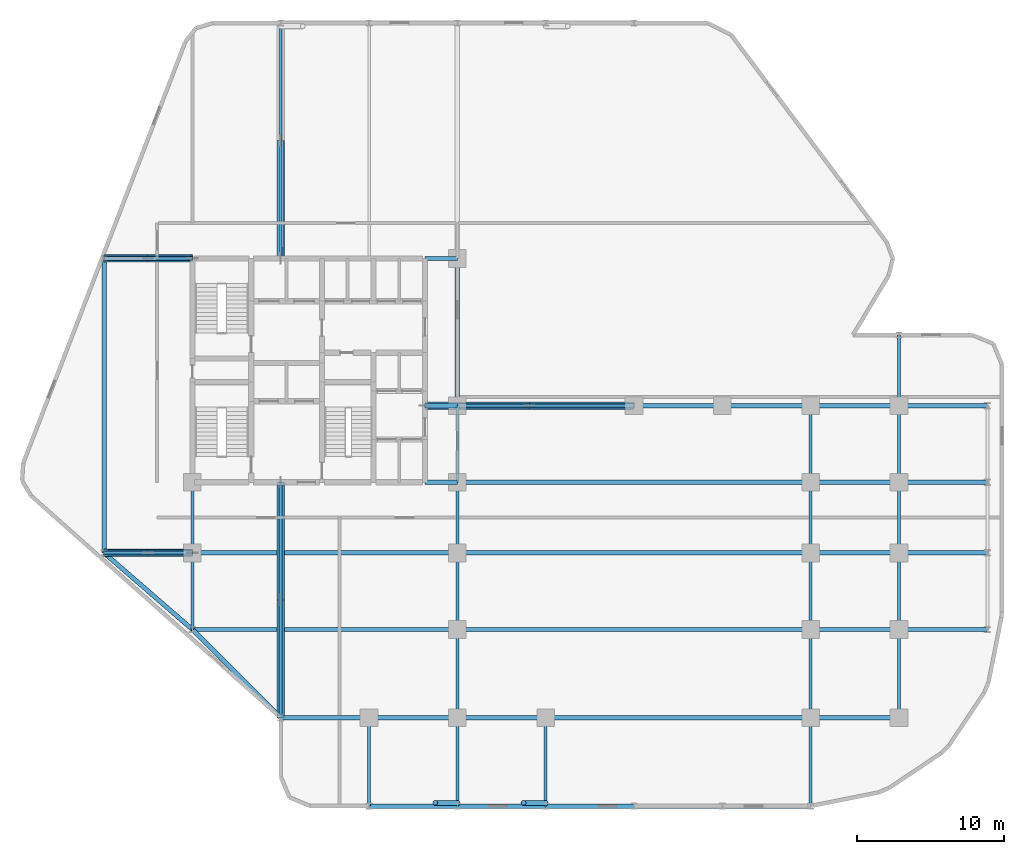
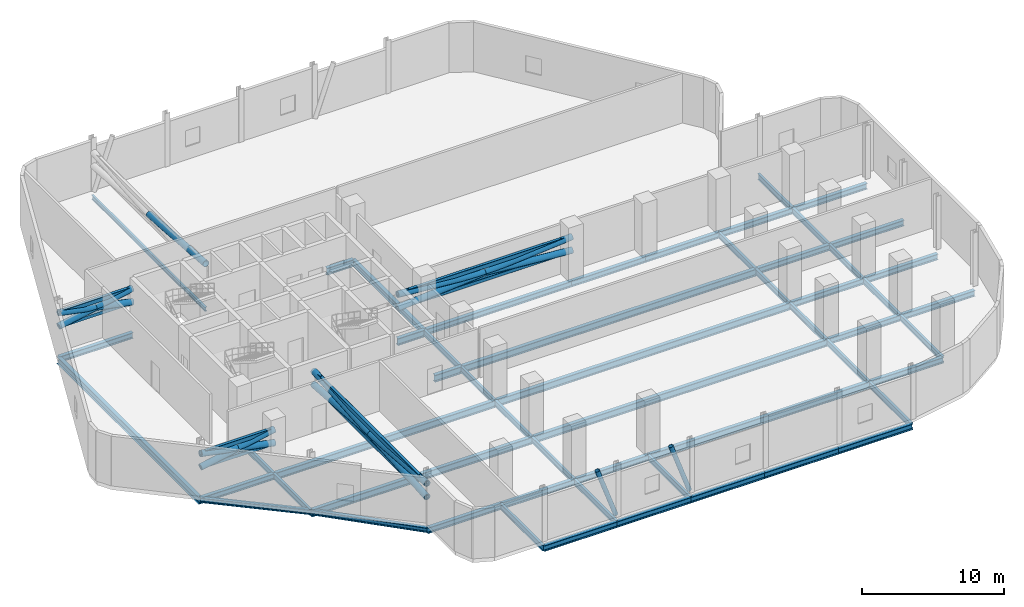
# One storey, part 3 of 9: 55 beams, 23 members.
"""IFC4 building model written with IfcOpenShell, lengths in metres."""

from ifc_helpers import new_model, si_unit, direction, frame, origin, origin_2d, place, context, subcontext, project, spatial, hollow_rectangle, hollow_circle, i_section, extrude, material, material_profile, profile_set, type_object, element, save


model = new_model("IFC4")

# Units and contexts
model_context = context("Model", 3, precision=1e-05, world=origin(), true_north=direction((0.0, 1.0)))
body_context = subcontext(model_context, "Body", "Model", "MODEL_VIEW")
ifc_project = project(units=[si_unit("LENGTHUNIT", "METRE"), si_unit("AREAUNIT", "SQUARE_METRE"), si_unit("VOLUMEUNIT", "CUBIC_METRE"), si_unit("PLANEANGLEUNIT", "RADIAN"), si_unit("MASSUNIT", "GRAM", prefix="KILO")], contexts=[model_context])

# Site, building, storey
site_placement = place(None, origin())
site = spatial("IfcSite", under=ifc_project, at=site_placement, CompositionType="ELEMENT")
building_placement = place(site_placement, origin())
building = spatial("IfcBuilding", under=site, at=building_placement, Name="Keshet Zoharim Tower", CompositionType="ELEMENT")
storey_placement = place(building_placement, frame((0.0, 0.0, 61.0)))
storey = spatial("IfcBuildingStorey", under=building, at=storey_placement, Name="L14", CompositionType="ELEMENT", Elevation=61.0)

# Beams
ifc_material = material(Name="Steel S355", Category="steel")
ifc_material_profile_1 = material_profile(ifc_material, i_section(OverallWidth=0.300048828125, OverallDepth=0.60009765625, WebThickness=0.015380859375, FlangeThickness=0.030029296875, FilletRadius=0.027099609375, at=origin_2d()), Name="HEB600")
ifc_profile_set_1 = profile_set([ifc_material_profile_1], Name="Steel S355")
beam_type_1 = type_object("IfcBeamType", Name="BM-CLK-HB600", PredefinedType="BEAM", material=ifc_profile_set_1)
for number, where, z_axis, x_axis, name in (
    (1, (30.800048828125, 22.699951171875, -0.719970703125), (1.0, 0.0, 0.0), (0.0, 1.0, 0.0), "L14 Core Wall Link Girder 01"),
    (2, (30.800048828125, 27.89990234375, -0.719970703125), (1.0, 0.0, 0.0), (0.0, 1.0, 0.0), "L14 Core Wall Link Girder 02"),
    (3, (30.800048828125, 37.89990234375, -0.719970703125), (1.0, 0.0, 0.0), (0.0, 1.0, 0.0), "L14 Core Wall Link Girder 03"),
):
    element("IfcBeam", number, at=place(storey_placement, frame(where, z_axis=z_axis, x_axis=x_axis)), inside=storey, type_object=beam_type_1, Name=name, PredefinedType="BEAM", context=body_context, shape_type="SweptSolid", body=[
        extrude(i_section(OverallWidth=0.300048828125, OverallDepth=0.60009765625, WebThickness=0.015380859375, FlangeThickness=0.030029296875, FilletRadius=0.027099609375, at=origin_2d()), origin(), (0.0, 0.0, 1.0), 2.199951171875),
    ])
ifc_material_profile_2 = material_profile(ifc_material, i_section(OverallWidth=0.169921875, OverallDepth=0.360107421875, WebThickness=0.008056640625, FlangeThickness=0.0126953125, FilletRadius=0.01806640625, at=origin_2d()), Name="IPE360")
ifc_profile_set_2 = profile_set([ifc_material_profile_2], Name="Steel S355")
beam_type_2 = type_object("IfcBeamType", Name="BM-JST-IP360", PredefinedType="JOIST", material=ifc_profile_set_2)
beam_1_placement = place(storey_placement, frame((21.0, 37.89990234375, -0.60009765625), z_axis=(0.0, 1.0, 0.0), x_axis=(-1.0, 0.0, 0.0)))
element("IfcBeam", 4, at=beam_1_placement, inside=storey, type_object=beam_type_2, Name="L14 Secondary Floor Joist J-001", PredefinedType="JOIST", context=body_context, shape_type="SweptSolid", body=[
    extrude(i_section(OverallWidth=0.169921875, OverallDepth=0.360107421875, WebThickness=0.008056640625, FlangeThickness=0.0126953125, FilletRadius=0.01806640625, at=origin_2d()), origin(), (0.0, 0.0, 1.0), 16.0),
])
ifc_material_profile_3 = material_profile(ifc_material, i_section(OverallWidth=0.300048828125, OverallDepth=0.60009765625, WebThickness=0.015380859375, FlangeThickness=0.030029296875, FilletRadius=0.027099609375, at=origin_2d()), Name="HEB600")
ifc_profile_set_3 = profile_set([ifc_material_profile_3], Name="Steel S355")
beam_type_3 = type_object("IfcBeamType", Name="BM-LNG-HB600", PredefinedType="BEAM", material=ifc_profile_set_3)
for number, where, z_axis, x_axis, name in (
    (5, (39.0, 6.699951171875, -0.719970703125), (1.0, 0.0, 0.0), (0.0, 1.0, 0.0), "L14 Primary Girder X-009"),
    (6, (15.0, 12.699951171875, -0.719970703125), (1.0, 0.0, 0.0), (0.0, 1.0, 0.0), "L14 Primary Girder X-011"),
):
    element("IfcBeam", number, at=place(storey_placement, frame(where, z_axis=z_axis, x_axis=x_axis)), inside=storey, type_object=beam_type_3, Name=name, PredefinedType="BEAM", context=body_context, shape_type="SweptSolid", body=[
        extrude(i_section(OverallWidth=0.300048828125, OverallDepth=0.60009765625, WebThickness=0.015380859375, FlangeThickness=0.030029296875, FilletRadius=0.027099609375, at=origin_2d()), origin(), (0.0, 0.0, 1.0), 18.0),
    ])
beam_2_placement = place(storey_placement, frame((33.0, 12.699951171875, -0.719970703125), z_axis=(1.0, 0.0, 0.0), x_axis=(0.0, 1.0, 0.0)))
element("IfcBeam", 7, at=beam_2_placement, inside=storey, type_object=beam_type_3, Name="L14 Primary Girder X-012", PredefinedType="BEAM", context=body_context, shape_type="SweptSolid", body=[
    extrude(i_section(OverallWidth=0.300048828125, OverallDepth=0.60009765625, WebThickness=0.015380859375, FlangeThickness=0.030029296875, FilletRadius=0.027099609375, at=origin_2d()), origin(), (0.0, 0.0, 1.0), 24.0),
])
beam_3_placement = place(storey_placement, frame((15.0, 17.89990234375, -0.719970703125), z_axis=(1.0, 0.0, 0.0), x_axis=(0.0, 1.0, 0.0)))
element("IfcBeam", 8, at=beam_3_placement, inside=storey, type_object=beam_type_3, Name="L14 Primary Girder X-016", PredefinedType="BEAM", context=body_context, shape_type="SweptSolid", body=[
    extrude(i_section(OverallWidth=0.300048828125, OverallDepth=0.60009765625, WebThickness=0.015380859375, FlangeThickness=0.030029296875, FilletRadius=0.027099609375, at=origin_2d()), origin(), (0.0, 0.0, 1.0), 18.0),
])
for number, where, z_axis, x_axis, name in (
    (9, (33.0, 17.89990234375, -0.719970703125), (1.0, 0.0, 0.0), (0.0, 1.0, 0.0), "L14 Primary Girder X-017"),
    (10, (33.0, 22.699951171875, -0.719970703125), (1.0, 0.0, 0.0), (0.0, 1.0, 0.0), "L14 Primary Girder X-020"),
):
    element("IfcBeam", number, at=place(storey_placement, frame(where, z_axis=z_axis, x_axis=x_axis)), inside=storey, type_object=beam_type_3, Name=name, PredefinedType="BEAM", context=body_context, shape_type="SweptSolid", body=[
        extrude(i_section(OverallWidth=0.300048828125, OverallDepth=0.60009765625, WebThickness=0.015380859375, FlangeThickness=0.030029296875, FilletRadius=0.027099609375, at=origin_2d()), origin(), (0.0, 0.0, 1.0), 24.0),
    ])
beam_4_placement = place(storey_placement, frame((9.0, 17.89990234375, -0.719970703125), z_axis=(0.0, 1.0, 0.0), x_axis=(-1.0, 0.0, 0.0)))
element("IfcBeam", 11, at=beam_4_placement, inside=storey, type_object=beam_type_3, Name="L14 Primary Girder Y-001", PredefinedType="BEAM", context=body_context, shape_type="SweptSolid", body=[
    extrude(i_section(OverallWidth=0.300048828125, OverallDepth=0.60009765625, WebThickness=0.015380859375, FlangeThickness=0.030029296875, FilletRadius=0.027099609375, at=origin_2d()), origin(), (0.0, 0.0, 1.0), 20.0),
])
ifc_material_profile_4 = material_profile(ifc_material, i_section(OverallWidth=0.300048828125, OverallDepth=0.5, WebThickness=0.014404296875, FlangeThickness=0.028076171875, FilletRadius=0.027099609375, at=origin_2d()), Name="HEB500")
ifc_profile_set_4 = profile_set([ifc_material_profile_4], Name="Steel S355")
beam_type_4 = type_object("IfcBeamType", Name="BM-MED-HB500", PredefinedType="BEAM", material=ifc_profile_set_4)
beam_5_placement = place(storey_placement, frame((33.0, 27.89990234375, -0.669921875), z_axis=(1.0, 0.0, 0.0), x_axis=(0.0, 1.0, 0.0)))
element("IfcBeam", 12, at=beam_5_placement, inside=storey, type_object=beam_type_4, Name="L14 Primary Girder X-023", PredefinedType="BEAM", context=body_context, shape_type="SweptSolid", body=[
    extrude(i_section(OverallWidth=0.300048828125, OverallDepth=0.5, WebThickness=0.014404296875, FlangeThickness=0.028076171875, FilletRadius=0.027099609375, at=origin_2d()), origin(), (0.0, 0.0, 1.0), 12.0),
])
beam_6_placement = place(storey_placement, frame((33.0, 27.89990234375, -0.669921875), z_axis=(0.0, 1.0, 0.0), x_axis=(-1.0, 0.0, 0.0)))
element("IfcBeam", 13, at=beam_6_placement, inside=storey, type_object=beam_type_4, Name="L14 Primary Girder Y-010", PredefinedType="BEAM", context=body_context, shape_type="SweptSolid", body=[
    extrude(i_section(OverallWidth=0.300048828125, OverallDepth=0.5, WebThickness=0.014404296875, FlangeThickness=0.028076171875, FilletRadius=0.027099609375, at=origin_2d()), origin(), (0.0, 0.0, 1.0), 10.0),
])
ifc_material_profile_5 = material_profile(ifc_material, i_section(OverallWidth=0.199951171875, OverallDepth=0.5, WebThickness=0.01025390625, FlangeThickness=0.01611328125, FilletRadius=0.02099609375, at=origin_2d()), Name="IPE500")
ifc_profile_set_5 = profile_set([ifc_material_profile_5], Name="Steel S355")
beam_type_5 = type_object("IfcBeamType", Name="BM-PRI-IP500", PredefinedType="BEAM", material=ifc_profile_set_5)
beam_7_placement = place(storey_placement, frame((15.0, 12.699951171875, -0.669921875), z_axis=(0.0, 1.0, 0.0), x_axis=(-1.0, 0.0, 0.0)))
element("IfcBeam", 14, at=beam_7_placement, inside=storey, type_object=beam_type_5, Name="L14 Primary Girder Y-002", PredefinedType="BEAM", context=body_context, shape_type="SweptSolid", body=[
    extrude(i_section(OverallWidth=0.199951171875, OverallDepth=0.5, WebThickness=0.01025390625, FlangeThickness=0.01611328125, FilletRadius=0.02099609375, at=origin_2d()), origin(), (0.0, 0.0, 1.0), 5.199951171875),
])
beam_8_placement = place(storey_placement, frame((15.0, 17.89990234375, -0.669921875), z_axis=(0.0, 1.0, 0.0), x_axis=(-1.0, 0.0, 0.0)))
element("IfcBeam", 15, at=beam_8_placement, inside=storey, type_object=beam_type_5, Name="L14 Primary Girder Y-003", PredefinedType="BEAM", context=body_context, shape_type="SweptSolid", body=[
    extrude(i_section(OverallWidth=0.199951171875, OverallDepth=0.5, WebThickness=0.01025390625, FlangeThickness=0.01611328125, FilletRadius=0.02099609375, at=origin_2d()), origin(), (0.0, 0.0, 1.0), 4.800048828125),
])
for number, where, z_axis, x_axis, name in (
    (16, (27.0, 0.699951171875, -0.669921875), (0.0, 1.0, 0.0), (-1.0, 0.0, 0.0), "L14 Primary Girder Y-004"),
    (17, (33.0, 0.699951171875, -0.669921875), (0.0, 1.0, 0.0), (-1.0, 0.0, 0.0), "L14 Primary Girder Y-005"),
    (18, (33.0, 6.699951171875, -0.669921875), (0.0, 1.0, 0.0), (-1.0, 0.0, 0.0), "L14 Primary Girder Y-006"),
):
    element("IfcBeam", number, at=place(storey_placement, frame(where, z_axis=z_axis, x_axis=x_axis)), inside=storey, type_object=beam_type_5, Name=name, PredefinedType="BEAM", context=body_context, shape_type="SweptSolid", body=[
        extrude(i_section(OverallWidth=0.199951171875, OverallDepth=0.5, WebThickness=0.01025390625, FlangeThickness=0.01611328125, FilletRadius=0.02099609375, at=origin_2d()), origin(), (0.0, 0.0, 1.0), 6.0),
    ])
beam_9_placement = place(storey_placement, frame((33.0, 12.699951171875, -0.669921875), z_axis=(0.0, 1.0, 0.0), x_axis=(-1.0, 0.0, 0.0)))
element("IfcBeam", 19, at=beam_9_placement, inside=storey, type_object=beam_type_5, Name="L14 Primary Girder Y-007", PredefinedType="BEAM", context=body_context, shape_type="SweptSolid", body=[
    extrude(i_section(OverallWidth=0.199951171875, OverallDepth=0.5, WebThickness=0.01025390625, FlangeThickness=0.01611328125, FilletRadius=0.02099609375, at=origin_2d()), origin(), (0.0, 0.0, 1.0), 5.199951171875),
])
beam_10_placement = place(storey_placement, frame((33.0, 17.89990234375, -0.669921875), z_axis=(0.0, 1.0, 0.0), x_axis=(-1.0, 0.0, 0.0)))
element("IfcBeam", 20, at=beam_10_placement, inside=storey, type_object=beam_type_5, Name="L14 Primary Girder Y-008", PredefinedType="BEAM", context=body_context, shape_type="SweptSolid", body=[
    extrude(i_section(OverallWidth=0.199951171875, OverallDepth=0.5, WebThickness=0.01025390625, FlangeThickness=0.01611328125, FilletRadius=0.02099609375, at=origin_2d()), origin(), (0.0, 0.0, 1.0), 4.800048828125),
])
beam_11_placement = place(storey_placement, frame((33.0, 22.699951171875, -0.669921875), z_axis=(0.0, 1.0, 0.0), x_axis=(-1.0, 0.0, 0.0)))
element("IfcBeam", 21, at=beam_11_placement, inside=storey, type_object=beam_type_5, Name="L14 Primary Girder Y-009", PredefinedType="BEAM", context=body_context, shape_type="SweptSolid", body=[
    extrude(i_section(OverallWidth=0.199951171875, OverallDepth=0.5, WebThickness=0.01025390625, FlangeThickness=0.01611328125, FilletRadius=0.02099609375, at=origin_2d()), origin(), (0.0, 0.0, 1.0), 5.199951171875),
])
for number, where, z_axis, x_axis, name in (
    (22, (39.0, 0.699951171875, -0.669921875), (0.0, 1.0, 0.0), (-1.0, 0.0, 0.0), "L14 Primary Girder Y-012"),
    (23, (57.0, 0.699951171875, -0.669921875), (0.0, 1.0, 0.0), (-1.0, 0.0, 0.0), "L14 Primary Girder Y-013"),
    (24, (57.0, 6.699951171875, -0.669921875), (0.0, 1.0, 0.0), (-1.0, 0.0, 0.0), "L14 Primary Girder Y-014"),
):
    element("IfcBeam", number, at=place(storey_placement, frame(where, z_axis=z_axis, x_axis=x_axis)), inside=storey, type_object=beam_type_5, Name=name, PredefinedType="BEAM", context=body_context, shape_type="SweptSolid", body=[
        extrude(i_section(OverallWidth=0.199951171875, OverallDepth=0.5, WebThickness=0.01025390625, FlangeThickness=0.01611328125, FilletRadius=0.02099609375, at=origin_2d()), origin(), (0.0, 0.0, 1.0), 6.0),
    ])
beam_12_placement = place(storey_placement, frame((57.0, 12.699951171875, -0.669921875), z_axis=(0.0, 1.0, 0.0), x_axis=(-1.0, 0.0, 0.0)))
element("IfcBeam", 25, at=beam_12_placement, inside=storey, type_object=beam_type_5, Name="L14 Primary Girder Y-015", PredefinedType="BEAM", context=body_context, shape_type="SweptSolid", body=[
    extrude(i_section(OverallWidth=0.199951171875, OverallDepth=0.5, WebThickness=0.01025390625, FlangeThickness=0.01611328125, FilletRadius=0.02099609375, at=origin_2d()), origin(), (0.0, 0.0, 1.0), 5.199951171875),
])
beam_13_placement = place(storey_placement, frame((57.0, 17.89990234375, -0.669921875), z_axis=(0.0, 1.0, 0.0), x_axis=(-1.0, 0.0, 0.0)))
element("IfcBeam", 26, at=beam_13_placement, inside=storey, type_object=beam_type_5, Name="L14 Primary Girder Y-016", PredefinedType="BEAM", context=body_context, shape_type="SweptSolid", body=[
    extrude(i_section(OverallWidth=0.199951171875, OverallDepth=0.5, WebThickness=0.01025390625, FlangeThickness=0.01611328125, FilletRadius=0.02099609375, at=origin_2d()), origin(), (0.0, 0.0, 1.0), 4.800048828125),
])
beam_14_placement = place(storey_placement, frame((57.0, 22.699951171875, -0.669921875), z_axis=(0.0, 1.0, 0.0), x_axis=(-1.0, 0.0, 0.0)))
element("IfcBeam", 27, at=beam_14_placement, inside=storey, type_object=beam_type_5, Name="L14 Primary Girder Y-017", PredefinedType="BEAM", context=body_context, shape_type="SweptSolid", body=[
    extrude(i_section(OverallWidth=0.199951171875, OverallDepth=0.5, WebThickness=0.01025390625, FlangeThickness=0.01611328125, FilletRadius=0.02099609375, at=origin_2d()), origin(), (0.0, 0.0, 1.0), 5.199951171875),
])
beam_15_placement = place(storey_placement, frame((63.0, 6.699951171875, -0.669921875), z_axis=(0.0, 1.0, 0.0), x_axis=(-1.0, 0.0, 0.0)))
element("IfcBeam", 28, at=beam_15_placement, inside=storey, type_object=beam_type_5, Name="L14 Primary Girder Y-018", PredefinedType="BEAM", context=body_context, shape_type="SweptSolid", body=[
    extrude(i_section(OverallWidth=0.199951171875, OverallDepth=0.5, WebThickness=0.01025390625, FlangeThickness=0.01611328125, FilletRadius=0.02099609375, at=origin_2d()), origin(), (0.0, 0.0, 1.0), 6.0),
])
beam_16_placement = place(storey_placement, frame((63.0, 12.699951171875, -0.669921875), z_axis=(0.0, 1.0, 0.0), x_axis=(-1.0, 0.0, 0.0)))
element("IfcBeam", 29, at=beam_16_placement, inside=storey, type_object=beam_type_5, Name="L14 Primary Girder Y-019", PredefinedType="BEAM", context=body_context, shape_type="SweptSolid", body=[
    extrude(i_section(OverallWidth=0.199951171875, OverallDepth=0.5, WebThickness=0.01025390625, FlangeThickness=0.01611328125, FilletRadius=0.02099609375, at=origin_2d()), origin(), (0.0, 0.0, 1.0), 5.199951171875),
])
beam_17_placement = place(storey_placement, frame((63.0, 17.89990234375, -0.669921875), z_axis=(0.0, 1.0, 0.0), x_axis=(-1.0, 0.0, 0.0)))
element("IfcBeam", 30, at=beam_17_placement, inside=storey, type_object=beam_type_5, Name="L14 Primary Girder Y-020", PredefinedType="BEAM", context=body_context, shape_type="SweptSolid", body=[
    extrude(i_section(OverallWidth=0.199951171875, OverallDepth=0.5, WebThickness=0.01025390625, FlangeThickness=0.01611328125, FilletRadius=0.02099609375, at=origin_2d()), origin(), (0.0, 0.0, 1.0), 4.800048828125),
])
beam_18_placement = place(storey_placement, frame((63.0, 22.699951171875, -0.669921875), z_axis=(0.0, 1.0, 0.0), x_axis=(-1.0, 0.0, 0.0)))
element("IfcBeam", 31, at=beam_18_placement, inside=storey, type_object=beam_type_5, Name="L14 Primary Girder Y-021", PredefinedType="BEAM", context=body_context, shape_type="SweptSolid", body=[
    extrude(i_section(OverallWidth=0.199951171875, OverallDepth=0.5, WebThickness=0.01025390625, FlangeThickness=0.01611328125, FilletRadius=0.02099609375, at=origin_2d()), origin(), (0.0, 0.0, 1.0), 5.199951171875),
])
beam_19_placement = place(storey_placement, frame((63.0, 27.89990234375, -0.669921875), z_axis=(0.0, 1.0, 0.0), x_axis=(-1.0, 0.0, 0.0)))
element("IfcBeam", 32, at=beam_19_placement, inside=storey, type_object=beam_type_5, Name="L14 Primary Girder Y-022", PredefinedType="BEAM", context=body_context, shape_type="SweptSolid", body=[
    extrude(i_section(OverallWidth=0.199951171875, OverallDepth=0.5, WebThickness=0.01025390625, FlangeThickness=0.01611328125, FilletRadius=0.02099609375, at=origin_2d()), origin(), (0.0, 0.0, 1.0), 4.800048828125),
])
ifc_material_profile_6 = material_profile(ifc_material, i_section(OverallWidth=0.300048828125, OverallDepth=0.39990234375, WebThickness=0.013427734375, FlangeThickness=0.02392578125, FilletRadius=0.027099609375, at=origin_2d()), Name="HEB400")
ifc_profile_set_6 = profile_set([ifc_material_profile_6], Name="Steel S355")
beam_type_6 = type_object("IfcBeamType", Name="BM-SPN-HB400", PredefinedType="SPANDREL", material=ifc_profile_set_6)
beam_20_placement = place(storey_placement, frame((21.0, 6.699951171875, -0.6201171875), z_axis=(-0.707106781187, 0.707106781187, 0.0), x_axis=(-0.707106781187, -0.707106781187, 0.0)))
element("IfcBeam", 33, at=beam_20_placement, inside=storey, type_object=beam_type_6, Name="L14 Perimeter Spandrel Beam 01", PredefinedType="SPANDREL", context=body_context, shape_type="SweptSolid", body=[
    extrude(i_section(OverallWidth=0.300048828125, OverallDepth=0.39990234375, WebThickness=0.013427734375, FlangeThickness=0.02392578125, FilletRadius=0.027099609375, at=origin_2d()), origin(), (0.0, 0.0, 1.0), 8.4853515625),
])
beam_21_placement = place(storey_placement, frame((9.0, 17.89990234375, -0.6201171875), z_axis=(0.755692126483, -0.654927026447, 0.0), x_axis=(0.654927026447, 0.755692126483, 0.0)))
element("IfcBeam", 34, at=beam_21_placement, inside=storey, type_object=beam_type_6, Name="L14 Perimeter Spandrel Beam 02", PredefinedType="SPANDREL", context=body_context, shape_type="SweptSolid", body=[
    extrude(i_section(OverallWidth=0.300048828125, OverallDepth=0.39990234375, WebThickness=0.013427734375, FlangeThickness=0.02392578125, FilletRadius=0.027099609375, at=origin_2d()), origin(), (0.0, 0.0, 1.0), 7.939697265625),
])
ifc_material_profile_7 = material_profile(ifc_material, i_section(OverallWidth=0.300048828125, OverallDepth=0.5, WebThickness=0.014404296875, FlangeThickness=0.028076171875, FilletRadius=0.027099609375, at=origin_2d()), Name="HEB500")
ifc_profile_set_7 = profile_set([ifc_material_profile_7], Name="Steel S355")
beam_type_7 = type_object("IfcBeamType", Name="BM-WEB-HB500", PredefinedType="BEAM", material=ifc_profile_set_7)
for number, where, z_axis, x_axis, name in (
    (35, (27.0, 0.699951171875, -0.669921875), (1.0, 0.0, 0.0), (0.0, 1.0, 0.0), "L14 Primary Girder X-001"),
    (36, (33.0, 0.699951171875, -0.669921875), (1.0, 0.0, 0.0), (0.0, 1.0, 0.0), "L14 Primary Girder X-002"),
    (37, (39.0, 0.699951171875, -0.669921875), (1.0, 0.0, 0.0), (0.0, 1.0, 0.0), "L14 Primary Girder X-003"),
    (38, (45.0, 0.699951171875, -0.669921875), (1.0, 0.0, 0.0), (0.0, 1.0, 0.0), "L14 Primary Girder X-004"),
    (39, (51.0, 0.699951171875, -0.669921875), (1.0, 0.0, 0.0), (0.0, 1.0, 0.0), "L14 Primary Girder X-005"),
    (40, (21.0, 6.699951171875, -0.669921875), (1.0, 0.0, 0.0), (0.0, 1.0, 0.0), "L14 Primary Girder X-006"),
    (41, (27.0, 6.699951171875, -0.669921875), (1.0, 0.0, 0.0), (0.0, 1.0, 0.0), "L14 Primary Girder X-007"),
    (42, (33.0, 6.699951171875, -0.669921875), (1.0, 0.0, 0.0), (0.0, 1.0, 0.0), "L14 Primary Girder X-008"),
    (43, (57.0, 6.699951171875, -0.669921875), (1.0, 0.0, 0.0), (0.0, 1.0, 0.0), "L14 Primary Girder X-010"),
    (44, (57.0, 12.699951171875, -0.669921875), (1.0, 0.0, 0.0), (0.0, 1.0, 0.0), "L14 Primary Girder X-013"),
    (45, (63.0, 12.699951171875, -0.669921875), (1.0, 0.0, 0.0), (0.0, 1.0, 0.0), "L14 Primary Girder X-014"),
    (46, (9.0, 17.89990234375, -0.669921875), (1.0, 0.0, 0.0), (0.0, 1.0, 0.0), "L14 Primary Girder X-015"),
    (47, (57.0, 17.89990234375, -0.669921875), (1.0, 0.0, 0.0), (0.0, 1.0, 0.0), "L14 Primary Girder X-018"),
    (48, (63.0, 17.89990234375, -0.669921875), (1.0, 0.0, 0.0), (0.0, 1.0, 0.0), "L14 Primary Girder X-019"),
    (49, (57.0, 22.699951171875, -0.669921875), (1.0, 0.0, 0.0), (0.0, 1.0, 0.0), "L14 Primary Girder X-021"),
    (50, (63.0, 22.699951171875, -0.669921875), (1.0, 0.0, 0.0), (0.0, 1.0, 0.0), "L14 Primary Girder X-022"),
    (51, (45.0, 27.89990234375, -0.669921875), (1.0, 0.0, 0.0), (0.0, 1.0, 0.0), "L14 Primary Girder X-024"),
    (52, (51.0, 27.89990234375, -0.669921875), (1.0, 0.0, 0.0), (0.0, 1.0, 0.0), "L14 Primary Girder X-025"),
    (53, (57.0, 27.89990234375, -0.669921875), (1.0, 0.0, 0.0), (0.0, 1.0, 0.0), "L14 Primary Girder X-026"),
    (54, (63.0, 27.89990234375, -0.669921875), (1.0, 0.0, 0.0), (0.0, 1.0, 0.0), "L14 Primary Girder X-027"),
    (55, (9.0, 37.89990234375, -0.669921875), (1.0, 0.0, 0.0), (0.0, 1.0, 0.0), "L14 Primary Girder X-028"),
):
    element("IfcBeam", number, at=place(storey_placement, frame(where, z_axis=z_axis, x_axis=x_axis)), inside=storey, type_object=beam_type_7, Name=name, PredefinedType="BEAM", context=body_context, shape_type="SweptSolid", body=[
        extrude(i_section(OverallWidth=0.300048828125, OverallDepth=0.5, WebThickness=0.014404296875, FlangeThickness=0.028076171875, FilletRadius=0.027099609375, at=origin_2d()), origin(), (0.0, 0.0, 1.0), 6.0),
    ])

# Members
ifc_material_profile_8 = material_profile(ifc_material, hollow_circle(Radius=0.177734375, WallThickness=0.012451171875, at=origin_2d()), Name="CHS355x12.5")
ifc_profile_set_8 = profile_set([ifc_material_profile_8], Name="Steel S355")
member_type_1 = type_object("IfcMemberType", Name="MB-BR-C355", PredefinedType="BRACE", material=ifc_profile_set_8)
for number, where, z_axis, x_axis, name in (
    (56, (33.0, 0.919921875, 0.0), (-0.330741244868, 0.0, 0.943721478479), (0.0, -1.0, 0.0), "L14 Perimeter Tube Brace 02"),
    (57, (39.0, 0.919921875, 0.0), (-0.330741244868, 0.0, 0.943721478479), (0.0, -1.0, 0.0), "L14 Perimeter Tube Brace 03"),
):
    element("IfcMember", number, at=place(storey_placement, frame(where, z_axis=z_axis, x_axis=x_axis)), inside=storey, type_object=member_type_1, Name=name, PredefinedType="BRACE", context=body_context, shape_type="SweptSolid", body=[
        extrude(hollow_circle(Radius=0.177734375, WallThickness=0.012451171875, at=origin_2d()), origin(), (0.0, 0.0, 1.0), 4.53515625),
    ])
ifc_material_profile_9 = material_profile(ifc_material, hollow_circle(Radius=0.25390625, WallThickness=0.02001953125, at=origin_2d()), Name="CHS508x20")
ifc_profile_set_9 = profile_set([ifc_material_profile_9], Name="Steel S355")
member_type_2 = type_object("IfcMemberType", Name="MB-OUTR-C508", PredefinedType="BRACE", material=ifc_profile_set_9)
member_1_placement = place(storey_placement, frame((15.0, 17.89990234375, 2.14990234375), z_axis=(-0.981507982031, 0.0, 0.191421214106), x_axis=(0.0, -1.0, 0.0)))
element("IfcMember", 58, at=member_1_placement, inside=storey, type_object=member_type_2, Name="L14 Core Outrigger Continuous Brace 1-W1", PredefinedType="BRACE", context=body_context, shape_type="SweptSolid", body=[
    extrude(hollow_circle(Radius=0.25390625, WallThickness=0.02001953125, at=origin_2d()), origin(), (0.0, 0.0, 1.0), 6.113037109375),
])
member_2_placement = place(storey_placement, frame((9.0, 17.89990234375, 2.14990234375), z_axis=(0.981500477788, 0.0, 0.191459687928), x_axis=(0.0, 1.0, 0.0)))
element("IfcMember", 59, at=member_2_placement, inside=storey, type_object=member_type_2, Name="L14 Core Outrigger Split Brace 2A-W1", PredefinedType="BRACE", context=body_context, shape_type="SweptSolid", body=[
    extrude(hollow_circle(Radius=0.25390625, WallThickness=0.02001953125, at=origin_2d()), origin(), (0.0, 0.0, 1.0), 3.056640625),
])
member_3_placement = place(storey_placement, frame((12.0, 17.89990234375, 2.735107421875), z_axis=(0.98151548488, 0.0, 0.191382739402), x_axis=(0.0, 1.0, 0.0)))
element("IfcMember", 60, at=member_3_placement, inside=storey, type_object=member_type_2, Name="L14 Core Outrigger Split Brace 2B-W1", PredefinedType="BRACE", context=body_context, shape_type="SweptSolid", body=[
    extrude(hollow_circle(Radius=0.25390625, WallThickness=0.02001953125, at=origin_2d()), origin(), (0.0, 0.0, 1.0), 3.056396484375),
])
member_4_placement = place(storey_placement, frame((15.0, 37.89990234375, 2.14990234375), z_axis=(-0.981507982031, 0.0, 0.191421214106), x_axis=(0.0, -1.0, 0.0)))
element("IfcMember", 61, at=member_4_placement, inside=storey, type_object=member_type_2, Name="L14 Core Outrigger Continuous Brace 1-W2", PredefinedType="BRACE", context=body_context, shape_type="SweptSolid", body=[
    extrude(hollow_circle(Radius=0.25390625, WallThickness=0.02001953125, at=origin_2d()), origin(), (0.0, 0.0, 1.0), 6.113037109375),
])
member_5_placement = place(storey_placement, frame((9.0, 37.89990234375, 2.14990234375), z_axis=(0.981500477788, 0.0, 0.191459687928), x_axis=(0.0, 1.0, 0.0)))
element("IfcMember", 62, at=member_5_placement, inside=storey, type_object=member_type_2, Name="L14 Core Outrigger Split Brace 2A-W2", PredefinedType="BRACE", context=body_context, shape_type="SweptSolid", body=[
    extrude(hollow_circle(Radius=0.25390625, WallThickness=0.02001953125, at=origin_2d()), origin(), (0.0, 0.0, 1.0), 3.056640625),
])
member_6_placement = place(storey_placement, frame((12.0, 37.89990234375, 2.735107421875), z_axis=(0.98151548488, 0.0, 0.191382739402), x_axis=(0.0, 1.0, 0.0)))
element("IfcMember", 63, at=member_6_placement, inside=storey, type_object=member_type_2, Name="L14 Core Outrigger Split Brace 2B-W2", PredefinedType="BRACE", context=body_context, shape_type="SweptSolid", body=[
    extrude(hollow_circle(Radius=0.25390625, WallThickness=0.02001953125, at=origin_2d()), origin(), (0.0, 0.0, 1.0), 3.056396484375),
])
member_7_placement = place(storey_placement, frame((30.800048828125, 27.89990234375, 2.14990234375), z_axis=(0.996621793351, 0.0, 0.082127955152), x_axis=(0.0, 1.0, 0.0)))
element("IfcMember", 64, at=member_7_placement, inside=storey, type_object=member_type_2, Name="L14 Core Outrigger Continuous Brace 1-E1", PredefinedType="BRACE", context=body_context, shape_type="SweptSolid", body=[
    extrude(hollow_circle(Radius=0.25390625, WallThickness=0.02001953125, at=origin_2d()), origin(), (0.0, 0.0, 1.0), 14.248046875),
])
member_8_placement = place(storey_placement, frame((45.0, 27.89990234375, 2.14990234375), z_axis=(-0.996620506321, 0.0, 0.082143571751), x_axis=(0.0, -1.0, 0.0)))
element("IfcMember", 65, at=member_8_placement, inside=storey, type_object=member_type_2, Name="L14 Core Outrigger Split Brace 2A-E1", PredefinedType="BRACE", context=body_context, shape_type="SweptSolid", body=[
    extrude(hollow_circle(Radius=0.25390625, WallThickness=0.02001953125, at=origin_2d()), origin(), (0.0, 0.0, 1.0), 7.124267578125),
])
member_9_placement = place(storey_placement, frame((37.89990234375, 27.89990234375, 2.735107421875), z_axis=(-0.996623080184, 0.0, 0.082112337957), x_axis=(0.0, -1.0, 0.0)))
element("IfcMember", 66, at=member_9_placement, inside=storey, type_object=member_type_2, Name="L14 Core Outrigger Split Brace 2B-E1", PredefinedType="BRACE", context=body_context, shape_type="SweptSolid", body=[
    extrude(hollow_circle(Radius=0.25390625, WallThickness=0.02001953125, at=origin_2d()), origin(), (0.0, 0.0, 1.0), 7.1240234375),
])
member_10_placement = place(storey_placement, frame((21.0, 22.699951171875, 2.14990234375), z_axis=(0.0, -0.997336289348, 0.072940564497), x_axis=(1.0, 0.0, 0.0)))
element("IfcMember", 67, at=member_10_placement, inside=storey, type_object=member_type_2, Name="L14 Core Outrigger Continuous Brace 1-S1", PredefinedType="BRACE", context=body_context, shape_type="SweptSolid", body=[
    extrude(hollow_circle(Radius=0.25390625, WallThickness=0.02001953125, at=origin_2d()), origin(), (0.0, 0.0, 1.0), 16.042724609375),
])
member_11_placement = place(storey_placement, frame((21.0, 6.699951171875, 2.14990234375), z_axis=(0.0, 0.997335182171, 0.07295570165), x_axis=(-1.0, 0.0, 0.0)))
element("IfcMember", 68, at=member_11_placement, inside=storey, type_object=member_type_2, Name="L14 Core Outrigger Split Brace 2A-S1", PredefinedType="BRACE", context=body_context, shape_type="SweptSolid", body=[
    extrude(hollow_circle(Radius=0.25390625, WallThickness=0.02001953125, at=origin_2d()), origin(), (0.0, 0.0, 1.0), 8.021484375),
])
for number, where, z_axis, x_axis, name in (
    (69, (21.0, 14.699951171875, 2.735107421875), (0.0, 0.997337396298, 0.072925427293), (-1.0, 0.0, 0.0), "L14 Core Outrigger Split Brace 2B-S1"),
    (70, (21.0, 45.89990234375, 2.735107421875), (0.0, -0.997337396298, 0.072925427293), (1.0, 0.0, 0.0), "L14 Core Outrigger Split Brace 2B-N1"),
):
    element("IfcMember", number, at=place(storey_placement, frame(where, z_axis=z_axis, x_axis=x_axis)), inside=storey, type_object=member_type_2, Name=name, PredefinedType="BRACE", context=body_context, shape_type="SweptSolid", body=[
        extrude(hollow_circle(Radius=0.25390625, WallThickness=0.02001953125, at=origin_2d()), origin(), (0.0, 0.0, 1.0), 8.021240234375),
    ])
ifc_material_profile_10 = material_profile(ifc_material, hollow_rectangle(XDim=0.199951171875, YDim=0.300048828125, WallThickness=0.012451171875, InnerFilletRadius=0.011962890625, OuterFilletRadius=0.01904296875, at=origin_2d()), Name="RHS300x200x12.5")
ifc_profile_set_10 = profile_set([ifc_material_profile_10], Name="Steel S355")
member_type_3 = type_object("IfcMemberType", Name="MB-OUTR-S300", PredefinedType="STRUT", material=ifc_profile_set_10)
for number, where, z_axis, x_axis, name in (
    (71, (15.0, 17.89990234375, 2.14990234375), (-1.0, 0.0, 0.0), (0.0, -1.0, 0.0), "L14 Core Outrigger Bottom Strut W1"),
    (72, (15.0, 37.89990234375, 2.14990234375), (-1.0, 0.0, 0.0), (0.0, -1.0, 0.0), "L14 Core Outrigger Bottom Strut W2"),
):
    element("IfcMember", number, at=place(storey_placement, frame(where, z_axis=z_axis, x_axis=x_axis)), inside=storey, type_object=member_type_3, Name=name, PredefinedType="STRUT", context=body_context, shape_type="SweptSolid", body=[
        extrude(hollow_rectangle(XDim=0.199951171875, YDim=0.300048828125, WallThickness=0.012451171875, InnerFilletRadius=0.011962890625, OuterFilletRadius=0.01904296875, at=origin_2d()), origin(), (0.0, 0.0, 1.0), 6.0),
    ])
member_12_placement = place(storey_placement, frame((30.800048828125, 27.89990234375, 2.14990234375), z_axis=(1.0, 0.0, 0.0), x_axis=(0.0, 1.0, 0.0)))
element("IfcMember", 73, at=member_12_placement, inside=storey, type_object=member_type_3, Name="L14 Core Outrigger Bottom Strut E1", PredefinedType="STRUT", context=body_context, shape_type="SweptSolid", body=[
    extrude(hollow_rectangle(XDim=0.199951171875, YDim=0.300048828125, WallThickness=0.012451171875, InnerFilletRadius=0.011962890625, OuterFilletRadius=0.01904296875, at=origin_2d()), origin(), (0.0, 0.0, 1.0), 14.199951171875),
])
member_13_placement = place(storey_placement, frame((21.0, 22.699951171875, 2.14990234375), z_axis=(0.0, -1.0, 0.0), x_axis=(1.0, 0.0, 0.0)))
element("IfcMember", 74, at=member_13_placement, inside=storey, type_object=member_type_3, Name="L14 Core Outrigger Bottom Strut S1", PredefinedType="STRUT", context=body_context, shape_type="SweptSolid", body=[
    extrude(hollow_rectangle(XDim=0.199951171875, YDim=0.300048828125, WallThickness=0.012451171875, InnerFilletRadius=0.011962890625, OuterFilletRadius=0.01904296875, at=origin_2d()), origin(), (0.0, 0.0, 1.0), 16.0),
])
ifc_material_profile_11 = material_profile(ifc_material, hollow_rectangle(XDim=0.25, YDim=0.35009765625, WallThickness=0.01416015625, InnerFilletRadius=0.013916015625, OuterFilletRadius=0.02099609375, at=origin_2d()), Name="RHS350x250x14.2")
ifc_profile_set_11 = profile_set([ifc_material_profile_11], Name="Steel S355")
member_type_4 = type_object("IfcMemberType", Name="MB-OUTR-T350", PredefinedType="CHORD", material=ifc_profile_set_11)
for number, where, z_axis, x_axis, name in (
    (75, (15.0, 17.89990234375, 3.320068359375), (-1.0, 0.0, 0.0), (0.0, -1.0, 0.0), "L14 Core Outrigger Top Chord W1"),
    (76, (15.0, 37.89990234375, 3.320068359375), (-1.0, 0.0, 0.0), (0.0, -1.0, 0.0), "L14 Core Outrigger Top Chord W2"),
):
    element("IfcMember", number, at=place(storey_placement, frame(where, z_axis=z_axis, x_axis=x_axis)), inside=storey, type_object=member_type_4, Name=name, PredefinedType="CHORD", context=body_context, shape_type="SweptSolid", body=[
        extrude(hollow_rectangle(XDim=0.25, YDim=0.35009765625, WallThickness=0.01416015625, InnerFilletRadius=0.013916015625, OuterFilletRadius=0.02099609375, at=origin_2d()), origin(), (0.0, 0.0, 1.0), 6.0),
    ])
member_14_placement = place(storey_placement, frame((30.800048828125, 27.89990234375, 3.320068359375), z_axis=(1.0, 0.0, 0.0), x_axis=(0.0, 1.0, 0.0)))
element("IfcMember", 77, at=member_14_placement, inside=storey, type_object=member_type_4, Name="L14 Core Outrigger Top Chord E1", PredefinedType="CHORD", context=body_context, shape_type="SweptSolid", body=[
    extrude(hollow_rectangle(XDim=0.25, YDim=0.35009765625, WallThickness=0.01416015625, InnerFilletRadius=0.013916015625, OuterFilletRadius=0.02099609375, at=origin_2d()), origin(), (0.0, 0.0, 1.0), 14.199951171875),
])
member_15_placement = place(storey_placement, frame((21.0, 22.699951171875, 3.320068359375), z_axis=(0.0, -1.0, 0.0), x_axis=(1.0, 0.0, 0.0)))
element("IfcMember", 78, at=member_15_placement, inside=storey, type_object=member_type_4, Name="L14 Core Outrigger Top Chord S1", PredefinedType="CHORD", context=body_context, shape_type="SweptSolid", body=[
    extrude(hollow_rectangle(XDim=0.25, YDim=0.35009765625, WallThickness=0.01416015625, InnerFilletRadius=0.013916015625, OuterFilletRadius=0.02099609375, at=origin_2d()), origin(), (0.0, 0.0, 1.0), 16.0),
])

save(model, "model.ifc")
